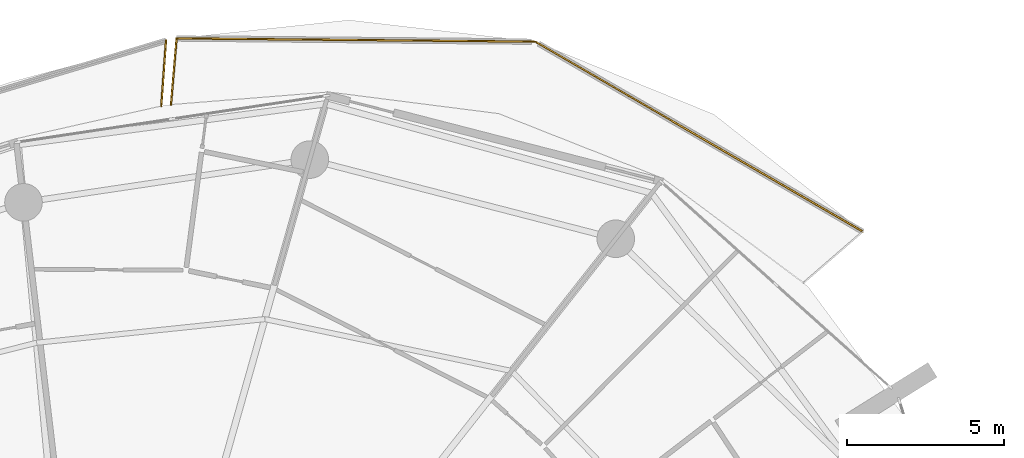
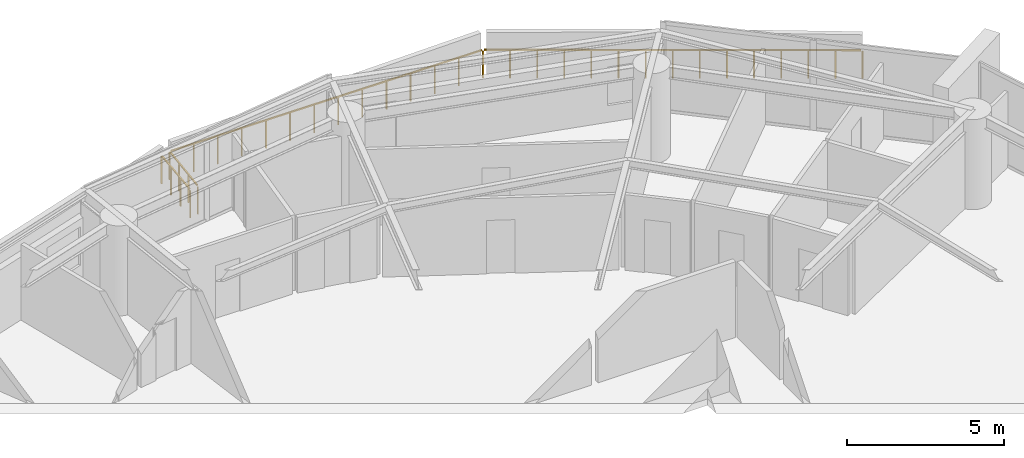
# One storey, part 23 of 23: 4 railings.
"""IFC4 building model written with IfcOpenShell, lengths in metres."""

from ifc_helpers import new_model, si_unit, direction, frame, origin, origin_2d, place, context, subcontext, project, spatial, rectangle, extrude, material, type_object, element, save


model = new_model("IFC4")

# Units and contexts
model_context = context("Model", 3, precision=1e-05, world=origin(), true_north=direction((0.0, 1.0)))
body_context = subcontext(model_context, "Body", "Model", "MODEL_VIEW")
ifc_project = project(units=[si_unit("LENGTHUNIT", "METRE"), si_unit("AREAUNIT", "SQUARE_METRE"), si_unit("VOLUMEUNIT", "CUBIC_METRE"), si_unit("PLANEANGLEUNIT", "RADIAN"), si_unit("MASSUNIT", "GRAM", prefix="KILO")], contexts=[model_context])

# Site, building, storey
site_placement = place(None, origin())
site = spatial("IfcSite", under=ifc_project, at=site_placement, CompositionType="ELEMENT")
building_placement = place(site_placement, origin())
building = spatial("IfcBuilding", under=site, at=building_placement, Name="Kazma Halo Residences", CompositionType="ELEMENT")
storey_placement = place(building_placement, frame((0.0, 0.0, 101.39990234375)))
storey = spatial("IfcBuildingStorey", under=building, at=storey_placement, Name="L25", CompositionType="ELEMENT", Elevation=101.39990234375)

# Railings
ifc_material = material(Name="Aluminium AW-6063 T6 Brushed Cap Rail", Category="aluminium")
railing_type = type_object("IfcRailingType", Name="RLG-BAL-CAP-1120", PredefinedType="BALUSTRADE", material=ifc_material)
railing_1_placement = place(storey_placement, frame((72.210693359375, 62.93505859375, 0.0)))
element("IfcRailing", 1, at=railing_1_placement, inside=storey, type_object=railing_type, Name="L25 NE wave balcony guard 2", PredefinedType="BALUSTRADE", context=body_context, shape_type="SweptSolid", body=[
    extrude(rectangle(XDim=0.050048828125, YDim=0.050048828125, at=origin_2d()), frame((-0.036865234375, 0.021240234375, 1.09521484375), z_axis=(-0.864951044931, 0.50185624423, 0.0), x_axis=(-0.50185624423, -0.864951044931, 0.0)), (0.0, 0.0, 1.0), 12.00048828125),
    extrude(rectangle(XDim=0.0400390625, YDim=0.0400390625, at=origin_2d()), origin(), (0.0, 0.0, 1.0), 1.05810546875),
    extrude(rectangle(XDim=0.0400390625, YDim=0.0400390625, at=origin_2d()), frame((-0.74658203125, 0.43310546875, 0.0)), (0.0, 0.0, 1.0), 1.05810546875),
    extrude(rectangle(XDim=0.0400390625, YDim=0.0400390625, at=origin_2d()), frame((-1.493408203125, 0.866455078125, 0.0)), (0.0, 0.0, 1.0), 1.05810546875),
    extrude(rectangle(XDim=0.0400390625, YDim=0.0400390625, at=origin_2d()), frame((-2.239990234375, 1.2998046875, 0.0)), (0.0, 0.0, 1.0), 1.05810546875),
    extrude(rectangle(XDim=0.0400390625, YDim=0.0400390625, at=origin_2d()), frame((-2.986572265625, 1.73291015625, 0.0)), (0.0, 0.0, 1.0), 1.05810546875),
    extrude(rectangle(XDim=0.0400390625, YDim=0.0400390625, at=origin_2d()), frame((-3.7333984375, 2.166015625, 0.0)), (0.0, 0.0, 1.0), 1.05810546875),
    extrude(rectangle(XDim=0.0400390625, YDim=0.0400390625, at=origin_2d()), frame((-4.47998046875, 2.599365234375, 0.0)), (0.0, 0.0, 1.0), 1.05810546875),
    extrude(rectangle(XDim=0.0400390625, YDim=0.0400390625, at=origin_2d()), frame((-5.2265625, 3.03271484375, 0.0)), (0.0, 0.0, 1.0), 1.05810546875),
    extrude(rectangle(XDim=0.0400390625, YDim=0.0400390625, at=origin_2d()), frame((-5.973388671875, 3.4658203125, 0.0)), (0.0, 0.0, 1.0), 1.05810546875),
    extrude(rectangle(XDim=0.0400390625, YDim=0.0400390625, at=origin_2d()), frame((-6.719970703125, 3.899169921875, 0.0)), (0.0, 0.0, 1.0), 1.05810546875),
    extrude(rectangle(XDim=0.0400390625, YDim=0.0400390625, at=origin_2d()), frame((-7.466796875, 4.332275390625, 0.0)), (0.0, 0.0, 1.0), 1.05810546875),
    extrude(rectangle(XDim=0.0400390625, YDim=0.0400390625, at=origin_2d()), frame((-8.21337890625, 4.765625, 0.0)), (0.0, 0.0, 1.0), 1.05810546875),
    extrude(rectangle(XDim=0.0400390625, YDim=0.0400390625, at=origin_2d()), frame((-8.9599609375, 5.19873046875, 0.0)), (0.0, 0.0, 1.0), 1.05810546875),
    extrude(rectangle(XDim=0.0400390625, YDim=0.0400390625, at=origin_2d()), frame((-9.706787109375, 5.6318359375, 0.0)), (0.0, 0.0, 1.0), 1.05810546875),
    extrude(rectangle(XDim=0.0400390625, YDim=0.0400390625, at=origin_2d()), frame((-10.453369140625, 6.065185546875, 0.0)), (0.0, 0.0, 1.0), 1.05810546875),
])
railing_2_placement = place(storey_placement, frame((61.75732421875, 69.000244140625, 0.0)))
element("IfcRailing", 2, at=railing_2_placement, inside=storey, type_object=railing_type, Name="L25 NE wave balcony guard 3", PredefinedType="BALUSTRADE", context=body_context, shape_type="SweptSolid", body=[
    extrude(rectangle(XDim=0.050048828125, YDim=0.050048828125, at=origin_2d()), frame((-0.04248046875, 0.00048828125, 1.09521484375), z_axis=(-0.999958803411, 0.009076975288, 0.0), x_axis=(-0.009076975288, -0.999958803411, 0.0)), (0.0, 0.0, 1.0), 11.372802734375),
    extrude(rectangle(XDim=0.0400390625, YDim=0.0400390625, at=origin_2d()), origin(), (0.0, 0.0, 1.0), 1.05810546875),
    extrude(rectangle(XDim=0.0400390625, YDim=0.0400390625, at=origin_2d()), frame((-0.88134765625, 0.008056640625, 0.0)), (0.0, 0.0, 1.0), 1.05810546875),
    extrude(rectangle(XDim=0.0400390625, YDim=0.0400390625, at=origin_2d()), frame((-1.7626953125, 0.01611328125, 0.0)), (0.0, 0.0, 1.0), 1.05810546875),
    extrude(rectangle(XDim=0.0400390625, YDim=0.0400390625, at=origin_2d()), frame((-2.64404296875, 0.02392578125, 0.0)), (0.0, 0.0, 1.0), 1.05810546875),
    extrude(rectangle(XDim=0.0400390625, YDim=0.0400390625, at=origin_2d()), frame((-3.525390625, 0.031982421875, 0.0)), (0.0, 0.0, 1.0), 1.05810546875),
    extrude(rectangle(XDim=0.0400390625, YDim=0.0400390625, at=origin_2d()), frame((-4.40673828125, 0.0400390625, 0.0)), (0.0, 0.0, 1.0), 1.05810546875),
    extrude(rectangle(XDim=0.0400390625, YDim=0.0400390625, at=origin_2d()), frame((-5.2880859375, 0.048095703125, 0.0)), (0.0, 0.0, 1.0), 1.05810546875),
    extrude(rectangle(XDim=0.0400390625, YDim=0.0400390625, at=origin_2d()), frame((-6.16943359375, 0.055908203125, 0.0)), (0.0, 0.0, 1.0), 1.05810546875),
    extrude(rectangle(XDim=0.0400390625, YDim=0.0400390625, at=origin_2d()), frame((-7.05078125, 0.06396484375, 0.0)), (0.0, 0.0, 1.0), 1.05810546875),
    extrude(rectangle(XDim=0.0400390625, YDim=0.0400390625, at=origin_2d()), frame((-7.93212890625, 0.072021484375, 0.0)), (0.0, 0.0, 1.0), 1.05810546875),
    extrude(rectangle(XDim=0.0400390625, YDim=0.0400390625, at=origin_2d()), frame((-8.8134765625, 0.080078125, 0.0)), (0.0, 0.0, 1.0), 1.05810546875),
    extrude(rectangle(XDim=0.0400390625, YDim=0.0400390625, at=origin_2d()), frame((-9.69482421875, 0.087890625, 0.0)), (0.0, 0.0, 1.0), 1.05810546875),
    extrude(rectangle(XDim=0.0400390625, YDim=0.0400390625, at=origin_2d()), frame((-10.576171875, 0.095947265625, 0.0)), (0.0, 0.0, 1.0), 1.05810546875),
    extrude(rectangle(XDim=0.0400390625, YDim=0.0400390625, at=origin_2d()), frame((-11.45751953125, 0.10400390625, 0.0)), (0.0, 0.0, 1.0), 1.05810546875),
])
railing_3_placement = place(storey_placement, frame((50.2998046875, 69.104248046875, 0.0)))
element("IfcRailing", 3, at=railing_3_placement, inside=storey, type_object=railing_type, Name="L25 NE wave balcony guard 4", PredefinedType="BALUSTRADE", context=body_context, shape_type="SweptSolid", body=[
    extrude(rectangle(XDim=0.050048828125, YDim=0.050048828125, at=origin_2d()), frame((-0.003662109375, -0.04248046875, 1.09521484375), z_axis=(-0.084551632243, -0.996419099318, 0.0), x_axis=(0.996419099318, -0.084551632243, 0.0)), (0.0, 0.0, 1.0), 2.034423828125),
    extrude(rectangle(XDim=0.0400390625, YDim=0.0400390625, at=origin_2d()), origin(), (0.0, 0.0, 1.0), 1.05810546875),
    extrude(rectangle(XDim=0.0400390625, YDim=0.0400390625, at=origin_2d()), frame((-0.059814453125, -0.703857421875, 0.0)), (0.0, 0.0, 1.0), 1.05810546875),
    extrude(rectangle(XDim=0.0400390625, YDim=0.0400390625, at=origin_2d()), frame((-0.119384765625, -1.407958984375, 0.0)), (0.0, 0.0, 1.0), 1.05810546875),
    extrude(rectangle(XDim=0.0400390625, YDim=0.0400390625, at=origin_2d()), frame((-0.17919921875, -2.11181640625, 0.0)), (0.0, 0.0, 1.0), 1.05810546875),
])
railing_4_placement = place(storey_placement, frame((49.81005859375, 66.94580078125, 0.0)))
element("IfcRailing", 4, at=railing_4_placement, inside=storey, type_object=railing_type, Name="L25 NNW wave balcony guard 1", PredefinedType="BALUSTRADE", context=body_context, shape_type="SweptSolid", body=[
    extrude(rectangle(XDim=0.050048828125, YDim=0.050048828125, at=origin_2d()), frame((0.003173828125, 0.04248046875, 1.09521484375), z_axis=(0.072348163877, 0.997379437919, 0.0), x_axis=(-0.997379437919, 0.072348163877, 0.0)), (0.0, 0.0, 1.0), 2.010498046875),
    extrude(rectangle(XDim=0.0400390625, YDim=0.0400390625, at=origin_2d()), origin(), (0.0, 0.0, 1.0), 1.05810546875),
    extrude(rectangle(XDim=0.0400390625, YDim=0.0400390625, at=origin_2d()), frame((0.050537109375, 0.69677734375, 0.0)), (0.0, 0.0, 1.0), 1.05810546875),
    extrude(rectangle(XDim=0.0400390625, YDim=0.0400390625, at=origin_2d()), frame((0.10107421875, 1.393310546875, 0.0)), (0.0, 0.0, 1.0), 1.05810546875),
    extrude(rectangle(XDim=0.0400390625, YDim=0.0400390625, at=origin_2d()), frame((0.151611328125, 2.090087890625, 0.0)), (0.0, 0.0, 1.0), 1.05810546875),
])

save(model, "model.ifc")
